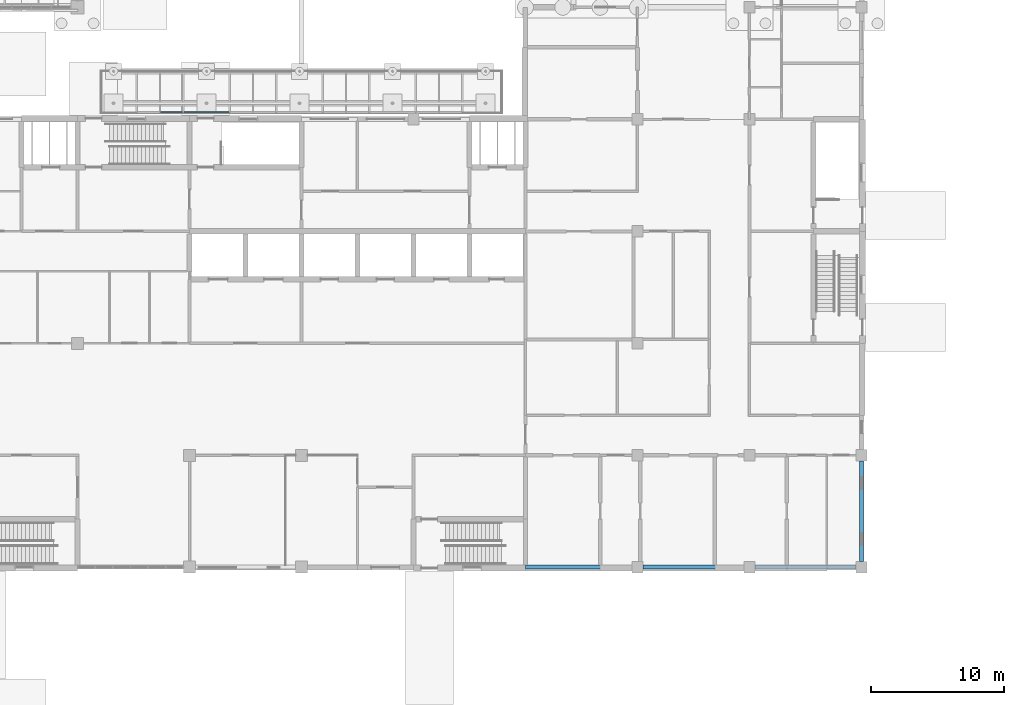
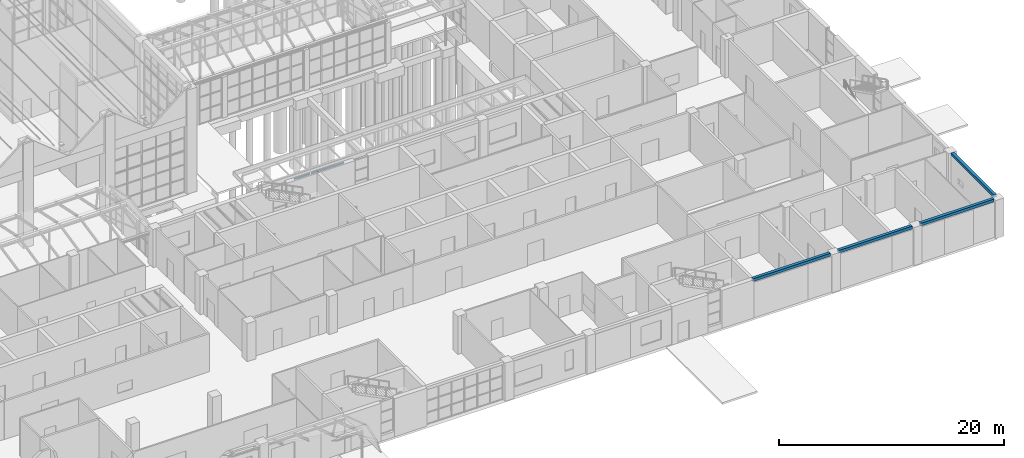
# One storey, part 61 of 138: 6 beams.
"""IFC4 building model written with IfcOpenShell, lengths in metres."""

import ifcopenshell
import ifcopenshell.guid

model = None  # the IFC model being written
_history = None  # IfcOwnerHistory: only IFC2X3 demands one
_inside = {}  # id of a spatial element -> (the spatial element, [elements in it])
_under = {}  # id of a project, library or spatial element -> (it, [spatial elements below it])
_declared = {}  # id of a project -> (the project, [libraries it declares])
_typed = {}  # id of a type object -> (the type object, [elements of that type])
_made_of = {}  # id of a material, layer set ... -> (it, [elements and type objects made of it])


def new_model(schema):
    """Start an empty IFC model of exactly this schema.

    Asked for "IFC4X3", IfcOpenShell would pick the latest addendum, in which some entities
    have other attributes; the version numbers below select the first issue.
    IFC2X3 requires an IfcOwnerHistory on every rooted entity: one is made here for all.
    """
    global model, _history
    if schema == "IFC4X3":
        model = ifcopenshell.file(schema_version=(4, 3, 0, 0))
    else:
        model = ifcopenshell.file(schema=schema)
    _inside.clear()
    _under.clear()
    _declared.clear()
    _typed.clear()
    _made_of.clear()
    _history = None
    if model.schema == "IFC2X3":
        org = make("IfcOrganization", Name="unknown")
        user = make(
            "IfcPersonAndOrganization",
            ThePerson=make("IfcPerson", FamilyName="unknown"),
            TheOrganization=org,
        )
        app = make(
            "IfcApplication",
            ApplicationDeveloper=org,
            Version="unknown",
            ApplicationFullName="unknown",
            ApplicationIdentifier="unknown",
        )
        _history = make(
            "IfcOwnerHistory",
            OwningUser=user,
            OwningApplication=app,
            ChangeAction="ADDED",
            CreationDate=0,
        )
    return model


def make(cls, **values):
    """One entity of the class cls with the attributes given. An attribute that is None is left unset."""
    return model.create_entity(
        cls, **{name: value for name, value in values.items() if value is not None}
    )


def rooted(cls, **values):
    """An entity with a GlobalId (a new one), such as an element, a storey or a relation."""
    return make(cls, GlobalId=ifcopenshell.guid.new(), OwnerHistory=_history, **values)


def si_unit(unit_type, name, prefix=None):
    """IfcSIUnit, for example si_unit("LENGTHUNIT", "METRE", prefix="MILLI")."""
    return make("IfcSIUnit", UnitType=unit_type, Prefix=prefix, Name=name)


def assignment(units):
    """IfcUnitAssignment: the units of a project."""
    return None if units is None else make("IfcUnitAssignment", Units=units)


def point(xyz):
    """IfcCartesianPoint."""
    return None if xyz is None else make("IfcCartesianPoint", Coordinates=xyz)


def direction(xyz):
    """IfcDirection."""
    return None if xyz is None else make("IfcDirection", DirectionRatios=xyz)


def frame(location, z_axis=None, x_axis=None):
    """IfcAxis2Placement3D, a coordinate frame: its origin and axes. An axis left out is left unset."""
    return make(
        "IfcAxis2Placement3D",
        Location=point(location),
        Axis=direction(z_axis),
        RefDirection=direction(x_axis),
    )


def frame_2d(location, x_axis=None):
    """IfcAxis2Placement2D, a coordinate frame in the plane: its origin and x axis."""
    return make(
        "IfcAxis2Placement2D", Location=point(location), RefDirection=direction(x_axis)
    )


def origin():
    """The frame at (0, 0, 0) with its axes left unset."""
    return frame((0.0, 0.0, 0.0))


def origin_2d():
    """The frame at (0, 0) in the plane with its x axis left unset."""
    return frame_2d((0.0, 0.0))


def place(relative_to, where):
    """IfcLocalPlacement: puts the frame where relative to a parent placement (None: the world)."""
    return make(
        "IfcLocalPlacement", PlacementRelTo=relative_to, RelativePlacement=where
    )


def context(
    kind, dimensions, precision=None, world=None, true_north=None, identifier=None
):
    """IfcGeometricRepresentationContext, for example the 3D "Model" context."""
    return make(
        "IfcGeometricRepresentationContext",
        ContextIdentifier=identifier,
        ContextType=kind,
        CoordinateSpaceDimension=dimensions,
        Precision=precision,
        WorldCoordinateSystem=world,
        TrueNorth=true_north,
    )


def subcontext(parent, identifier, kind, view, scale=None):
    """IfcGeometricRepresentationSubContext, for example "Body" below "Model"."""
    return make(
        "IfcGeometricRepresentationSubContext",
        ContextIdentifier=identifier,
        ContextType=kind,
        ParentContext=parent,
        TargetScale=scale,
        TargetView=view,
    )


def project(units=None, contexts=None):
    """IfcProject with its units and contexts."""
    return rooted(
        "IfcProject",
        Name="project",
        RepresentationContexts=contexts,
        UnitsInContext=assignment(units),
    )


def spatial(cls, under=None, at=None, **own):
    """A site, building, storey or space (cls), placed at a placement, below another one or the project."""
    s = rooted(cls, ObjectPlacement=at, **own)
    if under is not None:
        _under.setdefault(under.id(), (under, []))[1].append(s)
    return s


def profile(cls, at=None, kind="AREA", **sizes):
    """A parametric profile (cls). Its sizes go by their IFC names, for example OverallWidth=200.0."""
    return make(cls, ProfileType=kind, Position=at, **sizes)


def rectangle(**sizes):
    """IfcRectangleProfileDef."""
    return profile("IfcRectangleProfileDef", **sizes)


def i_section(**sizes):
    """IfcIShapeProfileDef."""
    return profile("IfcIShapeProfileDef", **sizes)


def extrude(swept, where, along, depth):
    """IfcExtrudedAreaSolid: the profile swept, set in the frame where, extruded along a direction by depth."""
    return make(
        "IfcExtrudedAreaSolid",
        SweptArea=swept,
        Position=where,
        ExtrudedDirection=direction(along),
        Depth=depth,
    )


def shape(context_of_items, identifier, shape_type, items):
    """IfcShapeRepresentation: the items that make up one representation, for example the "Body"."""
    return make(
        "IfcShapeRepresentation",
        ContextOfItems=context_of_items,
        RepresentationIdentifier=identifier,
        RepresentationType=shape_type,
        Items=items,
    )


def material(Name=None, Category=None):
    """IfcMaterial."""
    return make("IfcMaterial", Name=Name, Category=Category)


def material_profile(
    of_material, cross_section, Name=None, Category=None, Priority=None
):
    """IfcMaterialProfile: a cross section and its material."""
    return make(
        "IfcMaterialProfile",
        Name=Name,
        Material=of_material,
        Profile=cross_section,
        Priority=Priority,
        Category=Category,
    )


def profile_set(profiles, Name=None, composite=None):
    """IfcMaterialProfileSet."""
    return make(
        "IfcMaterialProfileSet",
        Name=Name,
        MaterialProfiles=profiles,
        CompositeProfile=composite,
    )


def made_of(thing, what):
    """Note that an element or type object is made of a material, layer set ...; save() writes the relation."""
    if what is not None:
        _made_of.setdefault(what.id(), (what, []))[1].append(thing)
    return thing


def type_object(cls, material=None, **own):
    """A type object (cls), such as IfcWallType, which elements share."""
    return made_of(rooted(cls, **own), material)


def element(
    cls,
    number,
    at=None,
    inside=None,
    cuts=None,
    type_object=None,
    material=None,
    context=None,
    identifier="Body",
    shape_type=None,
    held_by="IfcProductDefinitionShape",
    body=None,
    shapes=None,
    **own,
):
    """One element of the class cls, such as IfcWall. Its Tag is "e" and its number.

    at: its placement. inside: the storey or other place that contains it. cuts: it is an
    opening in that element (IfcRelVoidsElement). A single representation is given by context,
    identifier, shape_type and body (its items); several are given by shapes. held_by: the class
    of the entity that holds the representations. save() writes the other relations.
    """
    e = rooted(cls, Tag="e%d" % number, ObjectPlacement=at, **own)
    if body is not None:
        shapes = [shape(context, identifier, shape_type, body)]
    if shapes is not None:
        e.Representation = make(held_by, Representations=shapes)
    if inside is not None:
        _inside.setdefault(inside.id(), (inside, []))[1].append(e)
    if cuts is not None:
        rooted(
            "IfcRelVoidsElement", RelatingBuildingElement=cuts, RelatedOpeningElement=e
        )
    if type_object is not None:
        _typed.setdefault(type_object.id(), (type_object, []))[1].append(e)
    return made_of(e, material)


def aggregate(whole, parts):
    """IfcRelAggregates: a whole, such as a stair, and the parts it consists of."""
    return rooted("IfcRelAggregates", RelatingObject=whole, RelatedObjects=parts)


def save(model, path):
    """Write the relations noted so far, then the file.

    IfcRelAggregates (storeys below a building ...), IfcRelContainedInSpatialStructure (elements
    in a storey), IfcRelDefinesByType, IfcRelAssociatesMaterial and IfcRelDeclares: one each for
    every whole, place, type object, material and project.
    """
    for whole, parts in _under.values():
        aggregate(whole, parts)
    for where, things in _inside.values():
        rooted(
            "IfcRelContainedInSpatialStructure",
            RelatedElements=things,
            RelatingStructure=where,
        )
    for kind, things in _typed.values():
        rooted("IfcRelDefinesByType", RelatedObjects=things, RelatingType=kind)
    for what, things in _made_of.values():
        rooted("IfcRelAssociatesMaterial", RelatedObjects=things, RelatingMaterial=what)
    for by, libraries in _declared.values():
        rooted("IfcRelDeclares", RelatingContext=by, RelatedDefinitions=libraries)
    model.write(path)


model = new_model("IFC4")

# Units and contexts
model_context = context("Model", 3, precision=1e-05, world=origin(), true_north=direction((0.0, 1.0)))
body_context = subcontext(model_context, "Body", "Model", "MODEL_VIEW")
ifc_project = project(units=[si_unit("LENGTHUNIT", "METRE"), si_unit("AREAUNIT", "SQUARE_METRE"), si_unit("VOLUMEUNIT", "CUBIC_METRE"), si_unit("PLANEANGLEUNIT", "RADIAN"), si_unit("MASSUNIT", "GRAM", prefix="KILO")], contexts=[model_context])

# Site, building, storey
site_placement = place(None, origin())
site = spatial("IfcSite", under=ifc_project, at=site_placement, CompositionType="ELEMENT")
building_placement = place(site_placement, origin())
building = spatial("IfcBuilding", under=site, at=building_placement, Name="Yavir Park General Hospital", CompositionType="ELEMENT")
storey_placement = place(building_placement, origin())
storey = spatial("IfcBuildingStorey", under=building, at=storey_placement, Name="L00", CompositionType="ELEMENT", Elevation=0.0)

# Beams
ifc_material_1 = material(Name="Steel S355", Category="steel")
ifc_material_profile_1 = material_profile(ifc_material_1, i_section(OverallWidth=0.08203125, OverallDepth=0.159912109375, WebThickness=0.0048828125, FlangeThickness=0.00732421875, FilletRadius=0.009033203125, at=origin_2d()), Name="IPE160")
ifc_profile_set_1 = profile_set([ifc_material_profile_1], Name="Steel S355")
beam_type_1 = type_object("IfcBeamType", Name="IPE 160 edge trimmer, up to 2 m span", PredefinedType="BEAM", material=ifc_profile_set_1)
beam_1_placement = place(storey_placement, frame((115.428466796875, 34.14111328125, 3.77001953125), z_axis=(1.0, 0.0, 0.0), x_axis=(0.0, 1.0, 0.0)))
element("IfcBeam", 1, at=beam_1_placement, inside=storey, type_object=beam_type_1, Name="B:ARC2:T2", PredefinedType="BEAM", context=body_context, shape_type="SweptSolid", body=[
    extrude(i_section(OverallWidth=0.08203125, OverallDepth=0.159912109375, WebThickness=0.0048828125, FlangeThickness=0.00732421875, FilletRadius=0.009033203125, at=origin_2d()), origin(), (0.0, 0.0, 1.0), 1.66162109375),
])
ifc_material_2 = material(Name="Steel S355", Category="steel")
ifc_material_profile_2 = material_profile(ifc_material_2, i_section(OverallWidth=0.08203125, OverallDepth=0.159912109375, WebThickness=0.0048828125, FlangeThickness=0.00732421875, FilletRadius=0.009033203125, at=origin_2d()), Name="IPE160")
ifc_profile_set_2 = profile_set([ifc_material_profile_2], Name="Steel S355")
beam_type_2 = type_object("IfcBeamType", Name="IPE 160 edge trimmer, up to 3.5 m span", PredefinedType="BEAM", material=ifc_profile_set_2)
beam_2_placement = place(storey_placement, frame((117.172119140625, 34.14111328125, 3.77001953125), z_axis=(1.0, 0.0, 0.0), x_axis=(0.0, 1.0, 0.0)))
element("IfcBeam", 2, at=beam_2_placement, inside=storey, type_object=beam_type_2, Name="B:ARC2:T3", PredefinedType="BEAM", context=body_context, shape_type="SweptSolid", body=[
    extrude(i_section(OverallWidth=0.08203125, OverallDepth=0.159912109375, WebThickness=0.0048828125, FlangeThickness=0.00732421875, FilletRadius=0.009033203125, at=origin_2d()), origin(), (0.0, 0.0, 1.0), 3.40576171875),
])
ifc_material_3 = material(Name="Concrete C35/45", Category="concrete")
ifc_material_profile_3 = material_profile(ifc_material_3, rectangle(XDim=0.300048828125, YDim=0.300048828125, at=origin_2d()), Name="RC300x300")
ifc_profile_set_3 = profile_set([ifc_material_profile_3], Name="Concrete C35/45")
beam_type_3 = type_object("IfcBeamType", Name="RC BEAM 300x300 edge beam", PredefinedType="BEAM", material=ifc_profile_set_3)
beam_3_placement = place(storey_placement, frame((142.800048828125, 0.0, 3.989990234375), z_axis=(1.0, 0.0, 0.0), x_axis=(0.0, 1.0, 0.0)))
element("IfcBeam", 3, at=beam_3_placement, inside=storey, type_object=beam_type_3, Name="B:EDGE:L00:010", PredefinedType="BEAM", context=body_context, shape_type="SweptSolid", body=[
    extrude(rectangle(XDim=0.300048828125, YDim=0.300048828125, at=origin_2d()), origin(), (0.0, 0.0, 1.0), 7.974853515625),
])
for number, where, z_axis, x_axis, name in (
    (4, (151.625, 0.0, 3.989990234375), (1.0, 0.0, 0.0), (0.0, 1.0, 0.0), "B:EDGE:L00:011"),
    (5, (160.02490234375, 0.0, 3.989990234375), (1.0, 0.0, 0.0), (0.0, 1.0, 0.0), "B:EDGE:L00:012"),
    (6, (168.0, 0.425048828125, 3.989990234375), (0.0, 1.0, 0.0), (-1.0, 0.0, 0.0), "B:EDGE:L00:053"),
):
    element("IfcBeam", number, at=place(storey_placement, frame(where, z_axis=z_axis, x_axis=x_axis)), inside=storey, type_object=beam_type_3, Name=name, PredefinedType="BEAM", context=body_context, shape_type="SweptSolid", body=[
        extrude(rectangle(XDim=0.300048828125, YDim=0.300048828125, at=origin_2d()), origin(), (0.0, 0.0, 1.0), 7.550048828125),
    ])

save(model, "model.ifc")
